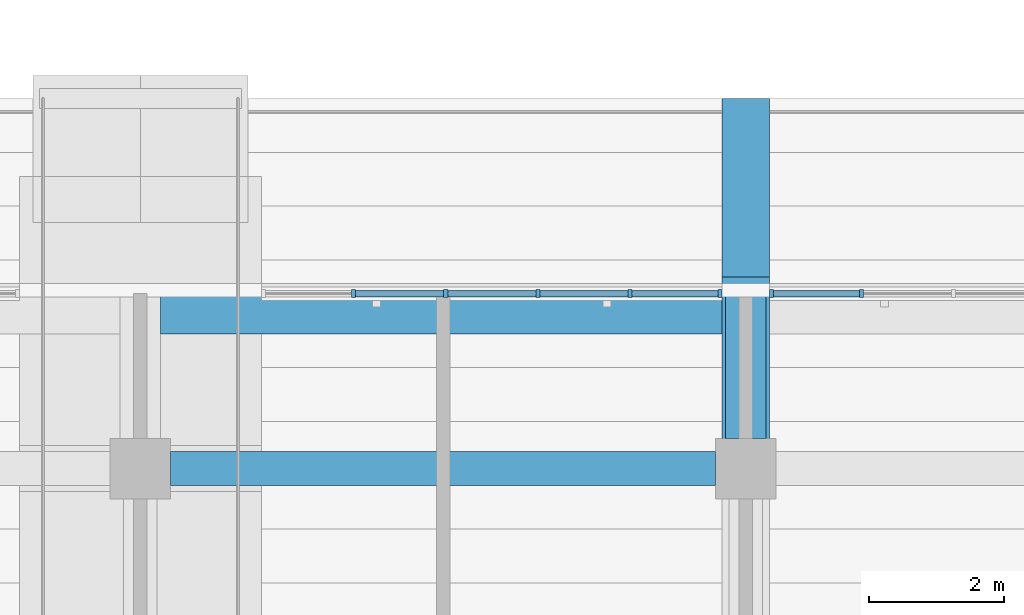
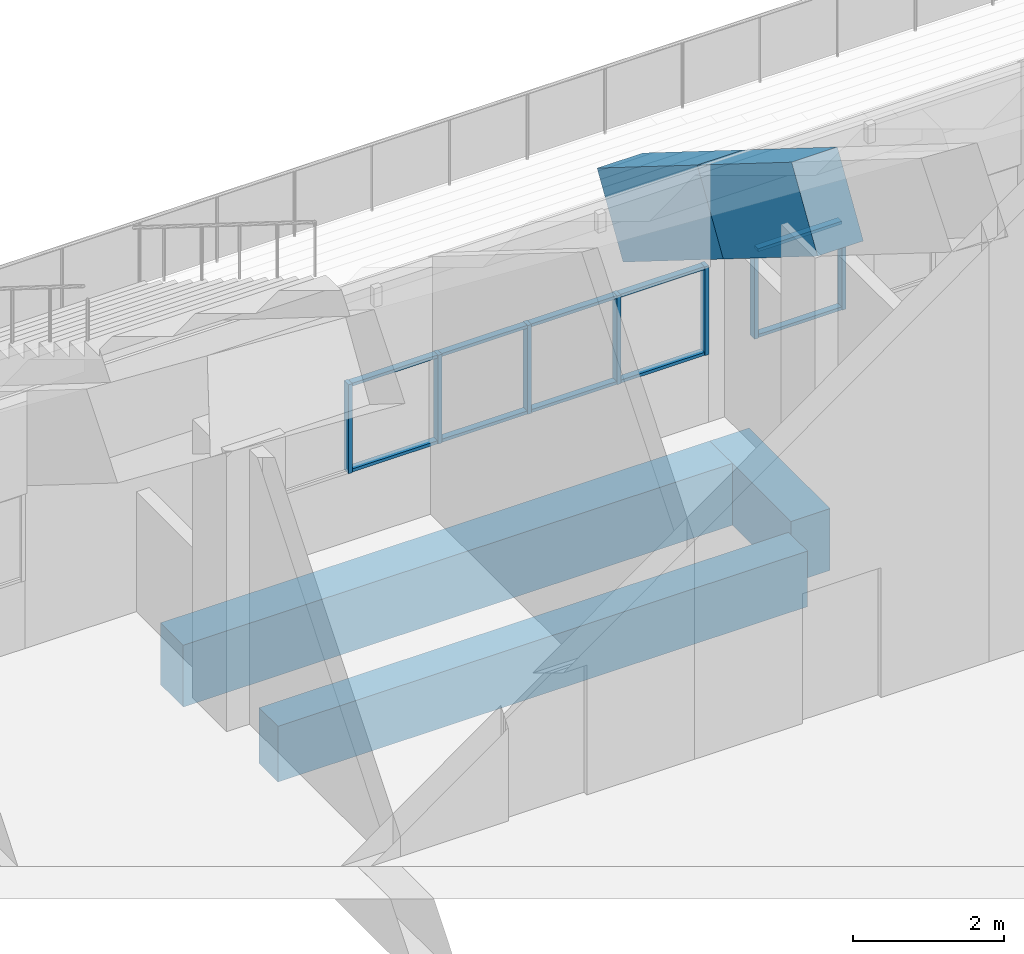
# One storey, part 25 of 182: 17 members, 5 beams, 2 elements without a shape of their own.
"""IFC4 building model written with IfcOpenShell, lengths in metres."""

from ifc_helpers import new_model, si_unit, direction, frame, origin, origin_2d, place, context, subcontext, project, spatial, rectangle, extrude, material, material_profile, profile_set, type_object, element, aggregate, save


model = new_model("IFC4")

# Units and contexts
model_context = context("Model", 3, precision=1e-05, world=origin(), true_north=direction((0.0, 1.0)))
body_context = subcontext(model_context, "Body", "Model", "MODEL_VIEW")
ifc_project = project(units=[si_unit("LENGTHUNIT", "METRE"), si_unit("AREAUNIT", "SQUARE_METRE"), si_unit("VOLUMEUNIT", "CUBIC_METRE"), si_unit("PLANEANGLEUNIT", "RADIAN"), si_unit("MASSUNIT", "GRAM", prefix="KILO")], contexts=[model_context])

# Site, building, storey
site_placement = place(None, origin())
site = spatial("IfcSite", under=ifc_project, at=site_placement, CompositionType="ELEMENT")
building_placement = place(site_placement, origin())
building = spatial("IfcBuilding", under=site, at=building_placement, Name="Silverbay Arena", CompositionType="ELEMENT")
storey_placement = place(building_placement, frame((0.0, 0.0, 11.5)))
storey = spatial("IfcBuildingStorey", under=building, at=storey_placement, Name="L02", CompositionType="ELEMENT", Elevation=11.5)

# Curtain wall, members
ifc_material_1 = material(Name="Fire-resisting glass", Category="glass")
curtain_wall_type = type_object("IfcCurtainWallType", Name="Fire-resisting glazed screen EI 120 6850 x 1437", PredefinedType="NOTDEFINED", material=ifc_material_1)
curtain_wall_1_placement = place(storey_placement, origin())
curtain_wall_1 = element("IfcCurtainWall", 1, at=curtain_wall_1_placement, inside=storey, type_object=curtain_wall_type, Name="South suite front 4", PredefinedType="NOTDEFINED")
ifc_material_2 = material(Name="Aluminium", Category="aluminium")
ifc_material_profile_1 = material_profile(ifc_material_2, rectangle(XDim=0.1201171875, YDim=0.06005859375, at=origin_2d()), Name="Mullion 60 x 120")
ifc_profile_set_1 = profile_set([ifc_material_profile_1], Name="Aluminium")
member_type_1 = type_object("IfcMemberType", Name="Mullion 60 x 120", PredefinedType="MULLION", material=ifc_profile_set_1)
member_1_placement = place(storey_placement, frame((129.169921875, 47.60009765625, 1.10009765625), z_axis=(0.0, 0.0, 1.0), x_axis=(0.0, 1.0, 0.0)))
member_1 = element("IfcMember", 2, at=member_1_placement, type_object=member_type_1, Name="CW19 mullion 2", PredefinedType="MULLION", context=body_context, shape_type="SweptSolid", body=[
    extrude(rectangle(XDim=0.1201171875, YDim=0.06005859375, at=origin_2d()), origin(), (0.0, 0.0, 1.0), 1.43701171875),
])
member_2_placement = place(storey_placement, frame((130.5400390625, 47.60009765625, 1.10009765625), z_axis=(0.0, 0.0, 1.0), x_axis=(0.0, 1.0, 0.0)))
member_2 = element("IfcMember", 3, at=member_2_placement, type_object=member_type_1, Name="CW19 mullion 3", PredefinedType="MULLION", context=body_context, shape_type="SweptSolid", body=[
    extrude(rectangle(XDim=0.1201171875, YDim=0.06005859375, at=origin_2d()), origin(), (0.0, 0.0, 1.0), 1.43701171875),
])
member_3_placement = place(storey_placement, frame((131.909912109375, 47.60009765625, 1.10009765625), z_axis=(0.0, 0.0, 1.0), x_axis=(0.0, 1.0, 0.0)))
member_3 = element("IfcMember", 4, at=member_3_placement, type_object=member_type_1, Name="CW19 mullion 4", PredefinedType="MULLION", context=body_context, shape_type="SweptSolid", body=[
    extrude(rectangle(XDim=0.1201171875, YDim=0.06005859375, at=origin_2d()), origin(), (0.0, 0.0, 1.0), 1.43701171875),
])
member_4_placement = place(storey_placement, frame((133.280029296875, 47.60009765625, 1.10009765625), z_axis=(0.0, 0.0, 1.0), x_axis=(0.0, 1.0, 0.0)))
member_4 = element("IfcMember", 5, at=member_4_placement, type_object=member_type_1, Name="CW19 mullion 5", PredefinedType="MULLION", context=body_context, shape_type="SweptSolid", body=[
    extrude(rectangle(XDim=0.1201171875, YDim=0.06005859375, at=origin_2d()), origin(), (0.0, 0.0, 1.0), 1.43701171875),
])
member_5_placement = place(storey_placement, frame((134.6201171875, 47.60009765625, 1.10009765625), z_axis=(0.0, 0.0, 1.0), x_axis=(0.0, 1.0, 0.0)))
member_5 = element("IfcMember", 6, at=member_5_placement, type_object=member_type_1, Name="CW19 mullion 6", PredefinedType="MULLION", context=body_context, shape_type="SweptSolid", body=[
    extrude(rectangle(XDim=0.1201171875, YDim=0.06005859375, at=origin_2d()), origin(), (0.0, 0.0, 1.0), 1.43701171875),
])

curtain_wall_2_placement = place(storey_placement, origin())
curtain_wall_2 = element("IfcCurtainWall", 7, at=curtain_wall_2_placement, inside=storey, type_object=curtain_wall_type, Name="South suite front 5", PredefinedType="NOTDEFINED")
member_6_placement = place(storey_placement, frame((135.3798828125, 47.60009765625, 1.10009765625), z_axis=(0.0, 0.0, 1.0), x_axis=(0.0, 1.0, 0.0)))
member_6 = element("IfcMember", 8, at=member_6_placement, type_object=member_type_1, Name="CW19 mullion 1", PredefinedType="MULLION", context=body_context, shape_type="SweptSolid", body=[
    extrude(rectangle(XDim=0.1201171875, YDim=0.06005859375, at=origin_2d()), origin(), (0.0, 0.0, 1.0), 1.43701171875),
])
member_7_placement = place(storey_placement, frame((136.719970703125, 47.60009765625, 1.10009765625), z_axis=(0.0, 0.0, 1.0), x_axis=(0.0, 1.0, 0.0)))
member_7 = element("IfcMember", 9, at=member_7_placement, type_object=member_type_1, Name="CW19 mullion 2", PredefinedType="MULLION", context=body_context, shape_type="SweptSolid", body=[
    extrude(rectangle(XDim=0.1201171875, YDim=0.06005859375, at=origin_2d()), origin(), (0.0, 0.0, 1.0), 1.43701171875),
])

# Beams
ifc_material_3 = material(Name="Concrete Grade C45", Category="concrete")
ifc_material_profile_2 = material_profile(ifc_material_3, rectangle(XDim=0.5, YDim=0.89990234375, at=origin_2d()), Name="RC 500x900")
ifc_profile_set_2 = profile_set([ifc_material_profile_2], Name="Concrete Grade C45")
beam_type_1 = type_object("IfcBeamType", Name="RC beam 500x900", PredefinedType="BEAM", material=ifc_profile_set_2)
beam_1_placement = place(storey_placement, frame((126.449951171875, 45.0, -0.800048828125), z_axis=(1.0, 0.0, 0.0), x_axis=(0.0, 1.0, 0.0)))
element("IfcBeam", 10, at=beam_1_placement, inside=storey, type_object=beam_type_1, Name="Floor beam L02 036", PredefinedType="BEAM", context=body_context, shape_type="SweptSolid", body=[
    extrude(rectangle(XDim=0.5, YDim=0.89990234375, at=origin_2d()), origin(), (0.0, 0.0, 1.0), 8.10009765625),
])
ifc_material_4 = material(Name="Concrete Grade C45", Category="concrete")
ifc_material_profile_3 = material_profile(ifc_material_4, rectangle(XDim=0.60009765625, YDim=1.0, at=origin_2d()), Name="RC 600x1000")
ifc_profile_set_3 = profile_set([ifc_material_profile_3], Name="Concrete Grade C45")
beam_type_2 = type_object("IfcBeamType", Name="RC beam 600x1000", PredefinedType="BEAM", material=ifc_profile_set_3)
beam_2_placement = place(storey_placement, frame((135.0, 45.449951171875, -0.85009765625), z_axis=(0.0, 1.0, 0.0), x_axis=(-1.0, 0.0, 0.0)))
element("IfcBeam", 11, at=beam_2_placement, inside=storey, type_object=beam_type_2, Name="Floor beam L02 276", PredefinedType="BEAM", context=body_context, shape_type="SweptSolid", body=[
    extrude(rectangle(XDim=0.60009765625, YDim=1.0, at=origin_2d()), origin(), (0.0, 0.0, 1.0), 2.150146484375),
])
beam_3_placement = place(storey_placement, frame((126.300048828125, 47.300048828125, -0.85009765625), z_axis=(1.0, 0.0, 0.0), x_axis=(0.0, 1.0, 0.0)))
element("IfcBeam", 12, at=beam_3_placement, inside=storey, type_object=beam_type_2, Name="Floor beam L02 368", PredefinedType="BEAM", context=body_context, shape_type="SweptSolid", body=[
    extrude(rectangle(XDim=0.60009765625, YDim=1.0, at=origin_2d()), origin(), (0.0, 0.0, 1.0), 8.39990234375),
])
ifc_material_5 = material(Name="Concrete Grade C45", Category="concrete")
ifc_material_profile_4 = material_profile(ifc_material_5, rectangle(XDim=0.699951171875, YDim=1.300048828125, at=origin_2d()), Name="RC 700x1300")
ifc_profile_set_4 = profile_set([ifc_material_profile_4], Name="Concrete Grade C45")
beam_type_3 = type_object("IfcBeamType", Name="RC cantilever raker 700x1300", PredefinedType="BEAM", material=ifc_profile_set_4)
beam_4_placement = place(storey_placement, frame((135.0, 50.155517578125, 1.768798828125), z_axis=(0.0, -0.848002683915, 0.529991932082), x_axis=(1.0, 0.0, 0.0)))
element("IfcBeam", 13, at=beam_4_placement, inside=storey, type_object=beam_type_3, Name="Raker South upper 135 tip", PredefinedType="BEAM", context=body_context, shape_type="SweptSolid", body=[
    extrude(rectangle(XDim=0.699951171875, YDim=1.300048828125, at=origin_2d()), origin(), (0.0, 0.0, 1.0), 3.131591796875),
])
beam_5_placement = place(storey_placement, frame((135.0, 47.5, 3.428466796875), z_axis=(0.0, -0.847998304005, 0.529998940003), x_axis=(1.0, 0.0, 0.0)))
element("IfcBeam", 14, at=beam_5_placement, inside=storey, type_object=beam_type_3, Name="Raker South upper 135 mid", PredefinedType="BEAM", context=body_context, shape_type="SweptSolid", body=[
    extrude(rectangle(XDim=0.699951171875, YDim=1.300048828125, at=origin_2d()), origin(), (0.0, 0.0, 1.0), 2.947998046875),
])

# Member
ifc_material_6 = material(Name="Aluminium", Category="aluminium")
ifc_material_profile_5 = material_profile(ifc_material_6, rectangle(XDim=0.10009765625, YDim=0.050048828125, at=origin_2d()), Name="Transom 50 x 100")
ifc_profile_set_5 = profile_set([ifc_material_profile_5], Name="Aluminium")
member_type_2 = type_object("IfcMemberType", Name="Transom 50 x 100", PredefinedType="USERDEFINED", material=ifc_profile_set_5)
member_8_placement = place(storey_placement, frame((129.199951171875, 47.60009765625, 1.125), z_axis=(1.0, 0.0, 0.0), x_axis=(0.0, 1.0, 0.0)))
member_8 = element("IfcMember", 15, at=member_8_placement, type_object=member_type_2, Name="CW19 transom 2.1", ObjectType="TRANSOM", PredefinedType="USERDEFINED", context=body_context, shape_type="SweptSolid", body=[
    extrude(rectangle(XDim=0.10009765625, YDim=0.050048828125, at=origin_2d()), origin(), (0.0, 0.0, 1.0), 1.31005859375),
])

member_9_placement = place(storey_placement, frame((129.199951171875, 47.60009765625, 2.511962890625), z_axis=(1.0, 0.0, 0.0), x_axis=(0.0, 1.0, 0.0)))
member_9 = element("IfcMember", 16, at=member_9_placement, type_object=member_type_2, Name="CW19 transom 2.2", ObjectType="TRANSOM", PredefinedType="USERDEFINED", context=body_context, shape_type="SweptSolid", body=[
    extrude(rectangle(XDim=0.10009765625, YDim=0.050048828125, at=origin_2d()), origin(), (0.0, 0.0, 1.0), 1.31005859375),
])

member_10_placement = place(storey_placement, frame((130.570068359375, 47.60009765625, 1.125), z_axis=(1.0, 0.0, 0.0), x_axis=(0.0, 1.0, 0.0)))
member_10 = element("IfcMember", 17, at=member_10_placement, type_object=member_type_2, Name="CW19 transom 3.1", ObjectType="TRANSOM", PredefinedType="USERDEFINED", context=body_context, shape_type="SweptSolid", body=[
    extrude(rectangle(XDim=0.10009765625, YDim=0.050048828125, at=origin_2d()), origin(), (0.0, 0.0, 1.0), 1.309814453125),
])

member_11_placement = place(storey_placement, frame((130.570068359375, 47.60009765625, 2.511962890625), z_axis=(1.0, 0.0, 0.0), x_axis=(0.0, 1.0, 0.0)))
member_11 = element("IfcMember", 18, at=member_11_placement, type_object=member_type_2, Name="CW19 transom 3.2", ObjectType="TRANSOM", PredefinedType="USERDEFINED", context=body_context, shape_type="SweptSolid", body=[
    extrude(rectangle(XDim=0.10009765625, YDim=0.050048828125, at=origin_2d()), origin(), (0.0, 0.0, 1.0), 1.309814453125),
])

member_12_placement = place(storey_placement, frame((131.93994140625, 47.60009765625, 1.125), z_axis=(1.0, 0.0, 0.0), x_axis=(0.0, 1.0, 0.0)))
member_12 = element("IfcMember", 19, at=member_12_placement, type_object=member_type_2, Name="CW19 transom 4.1", ObjectType="TRANSOM", PredefinedType="USERDEFINED", context=body_context, shape_type="SweptSolid", body=[
    extrude(rectangle(XDim=0.10009765625, YDim=0.050048828125, at=origin_2d()), origin(), (0.0, 0.0, 1.0), 1.31005859375),
])

member_13_placement = place(storey_placement, frame((131.93994140625, 47.60009765625, 2.511962890625), z_axis=(1.0, 0.0, 0.0), x_axis=(0.0, 1.0, 0.0)))
member_13 = element("IfcMember", 20, at=member_13_placement, type_object=member_type_2, Name="CW19 transom 4.2", ObjectType="TRANSOM", PredefinedType="USERDEFINED", context=body_context, shape_type="SweptSolid", body=[
    extrude(rectangle(XDim=0.10009765625, YDim=0.050048828125, at=origin_2d()), origin(), (0.0, 0.0, 1.0), 1.31005859375),
])

member_14_placement = place(storey_placement, frame((133.31005859375, 47.60009765625, 1.125), z_axis=(1.0, 0.0, 0.0), x_axis=(0.0, 1.0, 0.0)))
member_14 = element("IfcMember", 21, at=member_14_placement, type_object=member_type_2, Name="CW19 transom 5.1", ObjectType="TRANSOM", PredefinedType="USERDEFINED", context=body_context, shape_type="SweptSolid", body=[
    extrude(rectangle(XDim=0.10009765625, YDim=0.050048828125, at=origin_2d()), origin(), (0.0, 0.0, 1.0), 1.280029296875),
])

member_15_placement = place(storey_placement, frame((133.31005859375, 47.60009765625, 2.511962890625), z_axis=(1.0, 0.0, 0.0), x_axis=(0.0, 1.0, 0.0)))
member_15 = element("IfcMember", 22, at=member_15_placement, type_object=member_type_2, Name="CW19 transom 5.2", ObjectType="TRANSOM", PredefinedType="USERDEFINED", context=body_context, shape_type="SweptSolid", body=[
    extrude(rectangle(XDim=0.10009765625, YDim=0.050048828125, at=origin_2d()), origin(), (0.0, 0.0, 1.0), 1.280029296875),
])

aggregate(curtain_wall_1, [member_1, member_2, member_3, member_4, member_5, member_8, member_9, member_10, member_11, member_12, member_13, member_14, member_15])

member_16_placement = place(storey_placement, frame((135.409912109375, 47.60009765625, 1.125), z_axis=(1.0, 0.0, 0.0), x_axis=(0.0, 1.0, 0.0)))
member_16 = element("IfcMember", 23, at=member_16_placement, type_object=member_type_2, Name="CW19 transom 1.1", ObjectType="TRANSOM", PredefinedType="USERDEFINED", context=body_context, shape_type="SweptSolid", body=[
    extrude(rectangle(XDim=0.10009765625, YDim=0.050048828125, at=origin_2d()), origin(), (0.0, 0.0, 1.0), 1.280029296875),
])

member_17_placement = place(storey_placement, frame((135.409912109375, 47.60009765625, 2.511962890625), z_axis=(1.0, 0.0, 0.0), x_axis=(0.0, 1.0, 0.0)))
member_17 = element("IfcMember", 24, at=member_17_placement, type_object=member_type_2, Name="CW19 transom 1.2", ObjectType="TRANSOM", PredefinedType="USERDEFINED", context=body_context, shape_type="SweptSolid", body=[
    extrude(rectangle(XDim=0.10009765625, YDim=0.050048828125, at=origin_2d()), origin(), (0.0, 0.0, 1.0), 1.280029296875),
])

aggregate(curtain_wall_2, [member_6, member_7, member_16, member_17])

save(model, "model.ifc")
